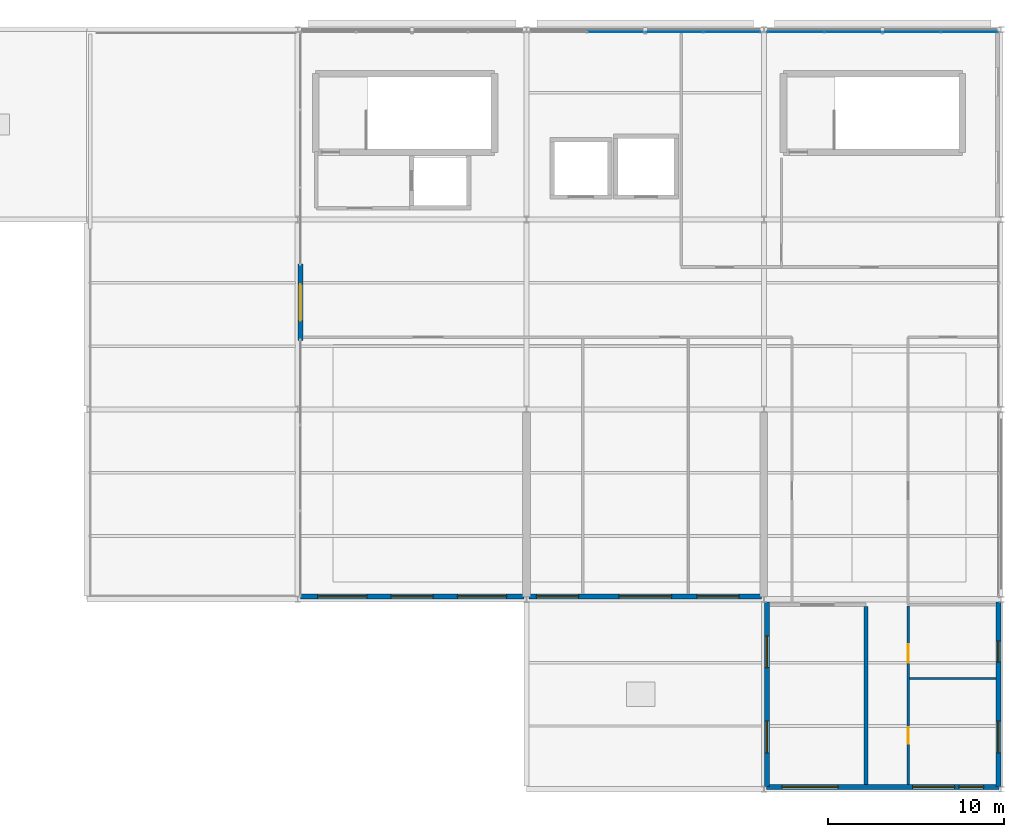
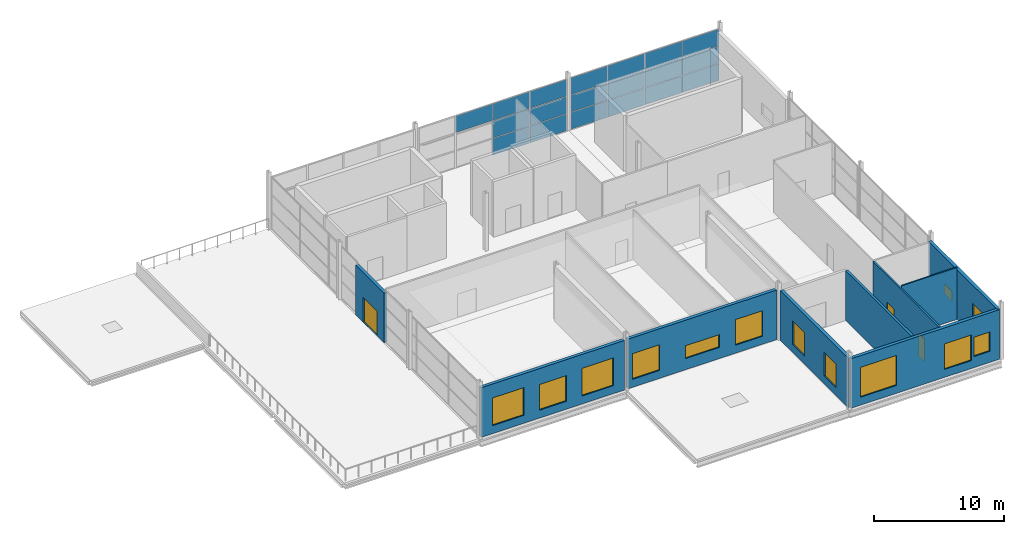
# One storey, part 31 of 34: 19 plates, 13 windows, 9 walls, 3 doors, 16 openings, 2 elements without a shape of their own.
"""IFC4 building model written with IfcOpenShell, lengths in metres."""

from ifc_helpers import new_model, si_unit, direction, frame, frame_2d, origin, origin_2d, place, context, subcontext, project, spatial, rectangle, extrude, material, layer, layer_set, type_object, element, fill, aggregate, save


model = new_model("IFC4")

# Units and contexts
model_context = context("Model", 3, precision=1e-05, world=origin(), true_north=direction((0.0, 1.0)))
body_context = subcontext(model_context, "Body", "Model", "MODEL_VIEW")
ifc_project = project(units=[si_unit("LENGTHUNIT", "METRE"), si_unit("AREAUNIT", "SQUARE_METRE"), si_unit("VOLUMEUNIT", "CUBIC_METRE"), si_unit("PLANEANGLEUNIT", "RADIAN"), si_unit("MASSUNIT", "GRAM", prefix="KILO")], contexts=[model_context])

# Site, building, storey
site_placement = place(None, origin())
site = spatial("IfcSite", under=ifc_project, at=site_placement, CompositionType="ELEMENT")
building_placement = place(site_placement, origin())
building = spatial("IfcBuilding", under=site, at=building_placement, Name="Tamarisk Ironworks Central Station", CompositionType="ELEMENT")
storey_placement = place(building_placement, frame((0.0, 0.0, 25.199951171875)))
storey = spatial("IfcBuildingStorey", under=building, at=storey_placement, Name="L05", CompositionType="ELEMENT", Elevation=25.199951171875)

# Curtain wall, plates
ifc_material_1 = material(Name="Anodized aluminium alloy 6063-T6", Category="aluminium")
ifc_layer_1 = layer(ifc_material_1, 0.179931640625)
ifc_layer_set_1 = layer_set([ifc_layer_1], Name="Anodized aluminium alloy 6063-T6")
curtain_wall_type = type_object("IfcCurtainWallType", Name="CW-20", PredefinedType="USERDEFINED", material=ifc_layer_set_1)
curtain_wall_1_placement = place(storey_placement, origin())
curtain_wall_1 = element("IfcCurtainWall", 1, at=curtain_wall_1_placement, inside=storey, type_object=curtain_wall_type, Name="Operations L05 north facade curtain wall 153", ObjectType="GLAZED CURTAIN WALL", PredefinedType="USERDEFINED")
ifc_layer_2 = layer(ifc_material_1, 0.02392578125)
ifc_layer_set_2 = layer_set([ifc_layer_2], Name="Anodized aluminium alloy 6063-T6")
plate_type = type_object("IfcPlateType", Name="PL-CWP24", PredefinedType="CURTAIN_PANEL", material=ifc_layer_set_2)
plate_1_placement = place(storey_placement, frame((158.099609375, 122.25, 3.303955078125), z_axis=(0.0, 0.0, 1.0), x_axis=(1.0, 0.0, 0.0)))
plate_1 = element("IfcPlate", 2, at=plate_1_placement, type_object=plate_type, Name="CW20 panel 2.3", PredefinedType="CURTAIN_PANEL", context=body_context, shape_type="SweptSolid", body=[
    extrude(rectangle(XDim=3.2529296875, YDim=0.02392578125, at=origin_2d()), origin(), (0.0, 0.0, 1.0), 1.56201171875),
])
plate_2_placement = place(storey_placement, frame((161.400390625, 122.25, 0.053955078125), z_axis=(0.0, 0.0, 1.0), x_axis=(1.0, 0.0, 0.0)))
plate_2 = element("IfcPlate", 3, at=plate_2_placement, type_object=plate_type, Name="CW20 panel 3.1", PredefinedType="CURTAIN_PANEL", context=body_context, shape_type="SweptSolid", body=[
    extrude(rectangle(XDim=3.2529296875, YDim=0.02392578125, at=origin_2d()), origin(), (0.0, 0.0, 1.0), 1.56201171875),
])
plate_3_placement = place(storey_placement, frame((161.400390625, 122.25, 1.6640625), z_axis=(0.0, 0.0, 1.0), x_axis=(1.0, 0.0, 0.0)))
plate_3 = element("IfcPlate", 4, at=plate_3_placement, type_object=plate_type, Name="CW20 panel 3.2", PredefinedType="CURTAIN_PANEL", context=body_context, shape_type="SweptSolid", body=[
    extrude(rectangle(XDim=3.2529296875, YDim=0.02392578125, at=origin_2d()), origin(), (0.0, 0.0, 1.0), 1.592041015625),
])
plate_4_placement = place(storey_placement, frame((161.400390625, 122.25, 3.303955078125), z_axis=(0.0, 0.0, 1.0), x_axis=(1.0, 0.0, 0.0)))
plate_4 = element("IfcPlate", 5, at=plate_4_placement, type_object=plate_type, Name="CW20 panel 3.3", PredefinedType="CURTAIN_PANEL", context=body_context, shape_type="SweptSolid", body=[
    extrude(rectangle(XDim=3.2529296875, YDim=0.02392578125, at=origin_2d()), origin(), (0.0, 0.0, 1.0), 1.56201171875),
])
plate_5_placement = place(storey_placement, frame((164.6865234375, 122.25, 0.053955078125), z_axis=(0.0, 0.0, 1.0), x_axis=(1.0, 0.0, 0.0)))
plate_5 = element("IfcPlate", 6, at=plate_5_placement, type_object=plate_type, Name="CW20 panel 4.1", PredefinedType="CURTAIN_PANEL", context=body_context, shape_type="SweptSolid", body=[
    extrude(rectangle(XDim=3.222900390625, YDim=0.02392578125, at=origin_2d()), origin(), (0.0, 0.0, 1.0), 1.56201171875),
])
plate_6_placement = place(storey_placement, frame((164.6865234375, 122.25, 1.6640625), z_axis=(0.0, 0.0, 1.0), x_axis=(1.0, 0.0, 0.0)))
plate_6 = element("IfcPlate", 7, at=plate_6_placement, type_object=plate_type, Name="CW20 panel 4.2", PredefinedType="CURTAIN_PANEL", context=body_context, shape_type="SweptSolid", body=[
    extrude(rectangle(XDim=3.222900390625, YDim=0.02392578125, at=origin_2d()), origin(), (0.0, 0.0, 1.0), 1.592041015625),
])
plate_7_placement = place(storey_placement, frame((164.6865234375, 122.25, 3.303955078125), z_axis=(0.0, 0.0, 1.0), x_axis=(1.0, 0.0, 0.0)))
plate_7 = element("IfcPlate", 8, at=plate_7_placement, type_object=plate_type, Name="CW20 panel 4.3", PredefinedType="CURTAIN_PANEL", context=body_context, shape_type="SweptSolid", body=[
    extrude(rectangle(XDim=3.222900390625, YDim=0.02392578125, at=origin_2d()), origin(), (0.0, 0.0, 1.0), 1.56201171875),
])
aggregate(curtain_wall_1, [plate_1, plate_2, plate_3, plate_4, plate_5, plate_6, plate_7])

curtain_wall_2_placement = place(storey_placement, origin())
curtain_wall_2 = element("IfcCurtainWall", 9, at=curtain_wall_2_placement, inside=storey, type_object=curtain_wall_type, Name="Operations L05 north facade curtain wall 166", ObjectType="GLAZED CURTAIN WALL", PredefinedType="USERDEFINED")
plate_8_placement = place(storey_placement, frame((168.3134765625, 122.25, 0.053955078125), z_axis=(0.0, 0.0, 1.0), x_axis=(1.0, 0.0, 0.0)))
plate_8 = element("IfcPlate", 10, at=plate_8_placement, type_object=plate_type, Name="CW20 panel 1.1", PredefinedType="CURTAIN_PANEL", context=body_context, shape_type="SweptSolid", body=[
    extrude(rectangle(XDim=3.222900390625, YDim=0.02392578125, at=origin_2d()), origin(), (0.0, 0.0, 1.0), 1.56201171875),
])
plate_9_placement = place(storey_placement, frame((168.3134765625, 122.25, 1.6640625), z_axis=(0.0, 0.0, 1.0), x_axis=(1.0, 0.0, 0.0)))
plate_9 = element("IfcPlate", 11, at=plate_9_placement, type_object=plate_type, Name="CW20 panel 1.2", PredefinedType="CURTAIN_PANEL", context=body_context, shape_type="SweptSolid", body=[
    extrude(rectangle(XDim=3.222900390625, YDim=0.02392578125, at=origin_2d()), origin(), (0.0, 0.0, 1.0), 1.592041015625),
])
plate_10_placement = place(storey_placement, frame((168.3134765625, 122.25, 3.303955078125), z_axis=(0.0, 0.0, 1.0), x_axis=(1.0, 0.0, 0.0)))
plate_10 = element("IfcPlate", 12, at=plate_10_placement, type_object=plate_type, Name="CW20 panel 1.3", PredefinedType="CURTAIN_PANEL", context=body_context, shape_type="SweptSolid", body=[
    extrude(rectangle(XDim=3.222900390625, YDim=0.02392578125, at=origin_2d()), origin(), (0.0, 0.0, 1.0), 1.56201171875),
])
plate_11_placement = place(storey_placement, frame((171.599609375, 122.25, 0.053955078125), z_axis=(0.0, 0.0, 1.0), x_axis=(1.0, 0.0, 0.0)))
plate_11 = element("IfcPlate", 13, at=plate_11_placement, type_object=plate_type, Name="CW20 panel 2.1", PredefinedType="CURTAIN_PANEL", context=body_context, shape_type="SweptSolid", body=[
    extrude(rectangle(XDim=3.2529296875, YDim=0.02392578125, at=origin_2d()), origin(), (0.0, 0.0, 1.0), 1.56201171875),
])
plate_12_placement = place(storey_placement, frame((171.599609375, 122.25, 1.6640625), z_axis=(0.0, 0.0, 1.0), x_axis=(1.0, 0.0, 0.0)))
plate_12 = element("IfcPlate", 14, at=plate_12_placement, type_object=plate_type, Name="CW20 panel 2.2", PredefinedType="CURTAIN_PANEL", context=body_context, shape_type="SweptSolid", body=[
    extrude(rectangle(XDim=3.2529296875, YDim=0.02392578125, at=origin_2d()), origin(), (0.0, 0.0, 1.0), 1.592041015625),
])
plate_13_placement = place(storey_placement, frame((171.599609375, 122.25, 3.303955078125), z_axis=(0.0, 0.0, 1.0), x_axis=(1.0, 0.0, 0.0)))
plate_13 = element("IfcPlate", 15, at=plate_13_placement, type_object=plate_type, Name="CW20 panel 2.3", PredefinedType="CURTAIN_PANEL", context=body_context, shape_type="SweptSolid", body=[
    extrude(rectangle(XDim=3.2529296875, YDim=0.02392578125, at=origin_2d()), origin(), (0.0, 0.0, 1.0), 1.56201171875),
])
plate_14_placement = place(storey_placement, frame((174.900390625, 122.25, 0.053955078125), z_axis=(0.0, 0.0, 1.0), x_axis=(1.0, 0.0, 0.0)))
plate_14 = element("IfcPlate", 16, at=plate_14_placement, type_object=plate_type, Name="CW20 panel 3.1", PredefinedType="CURTAIN_PANEL", context=body_context, shape_type="SweptSolid", body=[
    extrude(rectangle(XDim=3.2529296875, YDim=0.02392578125, at=origin_2d()), origin(), (0.0, 0.0, 1.0), 1.56201171875),
])
plate_15_placement = place(storey_placement, frame((174.900390625, 122.25, 1.6640625), z_axis=(0.0, 0.0, 1.0), x_axis=(1.0, 0.0, 0.0)))
plate_15 = element("IfcPlate", 17, at=plate_15_placement, type_object=plate_type, Name="CW20 panel 3.2", PredefinedType="CURTAIN_PANEL", context=body_context, shape_type="SweptSolid", body=[
    extrude(rectangle(XDim=3.2529296875, YDim=0.02392578125, at=origin_2d()), origin(), (0.0, 0.0, 1.0), 1.592041015625),
])
plate_16_placement = place(storey_placement, frame((174.900390625, 122.25, 3.303955078125), z_axis=(0.0, 0.0, 1.0), x_axis=(1.0, 0.0, 0.0)))
plate_16 = element("IfcPlate", 18, at=plate_16_placement, type_object=plate_type, Name="CW20 panel 3.3", PredefinedType="CURTAIN_PANEL", context=body_context, shape_type="SweptSolid", body=[
    extrude(rectangle(XDim=3.2529296875, YDim=0.02392578125, at=origin_2d()), origin(), (0.0, 0.0, 1.0), 1.56201171875),
])
plate_17_placement = place(storey_placement, frame((178.1865234375, 122.25, 0.053955078125), z_axis=(0.0, 0.0, 1.0), x_axis=(1.0, 0.0, 0.0)))
plate_17 = element("IfcPlate", 19, at=plate_17_placement, type_object=plate_type, Name="CW20 panel 4.1", PredefinedType="CURTAIN_PANEL", context=body_context, shape_type="SweptSolid", body=[
    extrude(rectangle(XDim=3.222900390625, YDim=0.02392578125, at=origin_2d()), origin(), (0.0, 0.0, 1.0), 1.56201171875),
])
plate_18_placement = place(storey_placement, frame((178.1865234375, 122.25, 1.6640625), z_axis=(0.0, 0.0, 1.0), x_axis=(1.0, 0.0, 0.0)))
plate_18 = element("IfcPlate", 20, at=plate_18_placement, type_object=plate_type, Name="CW20 panel 4.2", PredefinedType="CURTAIN_PANEL", context=body_context, shape_type="SweptSolid", body=[
    extrude(rectangle(XDim=3.222900390625, YDim=0.02392578125, at=origin_2d()), origin(), (0.0, 0.0, 1.0), 1.592041015625),
])
plate_19_placement = place(storey_placement, frame((178.1865234375, 122.25, 3.303955078125), z_axis=(0.0, 0.0, 1.0), x_axis=(1.0, 0.0, 0.0)))
plate_19 = element("IfcPlate", 21, at=plate_19_placement, type_object=plate_type, Name="CW20 panel 4.3", PredefinedType="CURTAIN_PANEL", context=body_context, shape_type="SweptSolid", body=[
    extrude(rectangle(XDim=3.222900390625, YDim=0.02392578125, at=origin_2d()), origin(), (0.0, 0.0, 1.0), 1.56201171875),
])
aggregate(curtain_wall_2, [plate_8, plate_9, plate_10, plate_11, plate_12, plate_13, plate_14, plate_15, plate_16, plate_17, plate_18, plate_19])

# Wall, openings, windows
ifc_material_2 = material(Name="Clay facing brickwork and mortar", Category="masonry")
ifc_layer_3 = layer(ifc_material_2, 0.280029296875)
ifc_layer_set_3 = layer_set([ifc_layer_3], Name="Clay facing brickwork and mortar")
wall_type_1 = type_object("IfcWallType", Name="WL-BR280", PredefinedType="STANDARD", material=ifc_layer_set_3)
wall_1_placement = place(storey_placement, frame((179.830078125, 79.347900390625, 0.0), z_axis=(0.0, 0.0, 1.0), x_axis=(0.0, 1.0, 0.0)))
wall_1 = element("IfcWall", 22, at=wall_1_placement, inside=storey, type_object=wall_type_1, Name="L05 brick facade wall 0098", PredefinedType="STANDARD", context=body_context, shape_type="SweptSolid", body=[
    extrude(rectangle(XDim=10.504150390625, YDim=0.280029296875, at=frame_2d((5.251953125, 0.0))), origin(), (0.0, 0.0, 1.0), 4.650146484375),
])
opening_1_placement = place(wall_1_placement, frame((1.926025390625, 0.0, 0.75)))
opening_1 = element("IfcOpeningElement", 23, at=opening_1_placement, cuts=wall_1, Name="Opening W09", PredefinedType="OPENING", context=body_context, shape_type="SweptSolid", body=[
    extrude(rectangle(XDim=1.800048828125, YDim=2.199951171875, at=frame_2d((0.89990234375, 1.10009765625))), frame((0.0, 0.15185546875, 0.0), z_axis=(0.0, -1.0, 0.0), x_axis=(1.0, 0.0, 0.0)), (0.0, 0.0, 1.0), 0.303955078125),
])
opening_2_placement = place(wall_1_placement, frame((7.077880859375, 0.0, 1.050048828125)))
opening_2 = element("IfcOpeningElement", 24, at=opening_2_placement, cuts=wall_1, Name="Opening W19", PredefinedType="OPENING", context=body_context, shape_type="SweptSolid", body=[
    extrude(rectangle(XDim=1.199951171875, YDim=0.89990234375, at=frame_2d((0.60009765625, 0.449951171875))), frame((0.0, 0.15185546875, 0.0), z_axis=(0.0, -1.0, 0.0), x_axis=(1.0, 0.0, 0.0)), (0.0, 0.0, 1.0), 0.303955078125),
])
ifc_material_3 = material(Name="Laminated solar-control low-E glass", Category="glass")
window_type_1 = type_object("IfcWindowType", Name="WN-09", PartitioningType="SINGLE_PANEL", PredefinedType="WINDOW", material=ifc_material_3)
window_1_placement = place(opening_1_placement, origin())
window_1 = element("IfcWindow", 25, at=window_1_placement, inside=storey, type_object=window_type_1, Name="L05 exterior window 0167", OverallHeight=2.199951171875, OverallWidth=1.800048828125, PartitioningType="DOUBLE_PANEL_VERTICAL", PredefinedType="WINDOW", context=body_context, shape_type="SweptSolid", body=[
    extrude(rectangle(XDim=1.800048828125, YDim=2.199951171875, at=frame_2d((0.89990234375, 1.10009765625))), frame((0.0, 0.030029296875, 0.0), z_axis=(0.0, -1.0, 0.0), x_axis=(1.0, 0.0, 0.0)), (0.0, 0.0, 1.0), 0.06005859375),
])
fill(opening_1, window_1)
window_type_2 = type_object("IfcWindowType", Name="WN-19", PartitioningType="SINGLE_PANEL", PredefinedType="WINDOW", material=ifc_material_3)
window_2_placement = place(opening_2_placement, origin())
window_2 = element("IfcWindow", 26, at=window_2_placement, inside=storey, type_object=window_type_2, Name="L05 exterior window 0168", OverallHeight=0.89990234375, OverallWidth=1.199951171875, PartitioningType="DOUBLE_PANEL_VERTICAL", PredefinedType="WINDOW", context=body_context, shape_type="SweptSolid", body=[
    extrude(rectangle(XDim=1.199951171875, YDim=0.89990234375, at=frame_2d((0.60009765625, 0.449951171875))), frame((0.0, 0.030029296875, 0.0), z_axis=(0.0, -1.0, 0.0), x_axis=(1.0, 0.0, 0.0)), (0.0, 0.0, 1.0), 0.06005859375),
])
fill(opening_2, window_2)

wall_2_placement = place(storey_placement, frame((166.64794921875, 79.340087890625, 0.0), z_axis=(0.0, 0.0, 1.0), x_axis=(1.0, 0.0, 0.0)))
wall_2 = element("IfcWall", 27, at=wall_2_placement, inside=storey, type_object=wall_type_1, Name="L05 brick facade wall 0099", PredefinedType="STANDARD", context=body_context, shape_type="SweptSolid", body=[
    extrude(rectangle(XDim=13.2041015625, YDim=0.280029296875, at=frame_2d((6.60205078125, 0.0))), origin(), (0.0, 0.0, 1.0), 4.650146484375),
])
opening_3_placement = place(wall_2_placement, frame((0.866943359375, 0.0, 0.75)))
opening_3 = element("IfcOpeningElement", 28, at=opening_3_placement, cuts=wall_2, Name="Opening W02", PredefinedType="OPENING", context=body_context, shape_type="SweptSolid", body=[
    extrude(rectangle(XDim=3.199951171875, YDim=2.800048828125, at=frame_2d((1.60009765625, 1.39990234375))), frame((0.0, 0.15185546875, 0.0), z_axis=(0.0, -1.0, 0.0), x_axis=(1.0, 0.0, 0.0)), (0.0, 0.0, 1.0), 0.303955078125),
])
opening_4_placement = place(wall_2_placement, frame((8.302001953125, 0.0, 0.75)))
opening_4 = element("IfcOpeningElement", 29, at=opening_4_placement, cuts=wall_2, Name="Opening W06", PredefinedType="OPENING", context=body_context, shape_type="SweptSolid", body=[
    extrude(rectangle(XDim=2.39990234375, YDim=2.39990234375, at=frame_2d((1.199951171875, 1.199951171875))), frame((0.0, 0.15185546875, 0.0), z_axis=(0.0, -1.0, 0.0), x_axis=(1.0, 0.0, 0.0)), (0.0, 0.0, 1.0), 0.303955078125),
])
opening_5_placement = place(wall_2_placement, frame((10.93701171875, 0.0, 1.050048828125)))
opening_5 = element("IfcOpeningElement", 30, at=opening_5_placement, cuts=wall_2, Name="Opening W12", PredefinedType="OPENING", context=body_context, shape_type="SweptSolid", body=[
    extrude(rectangle(XDim=1.39990234375, YDim=1.800048828125, at=frame_2d((0.699951171875, 0.89990234375))), frame((0.0, 0.15185546875, 0.0), z_axis=(0.0, -1.0, 0.0), x_axis=(1.0, 0.0, 0.0)), (0.0, 0.0, 1.0), 0.303955078125),
])
window_type_3 = type_object("IfcWindowType", Name="WN-02", PartitioningType="SINGLE_PANEL", PredefinedType="WINDOW", material=ifc_material_3)
window_3_placement = place(opening_3_placement, origin())
window_3 = element("IfcWindow", 31, at=window_3_placement, inside=storey, type_object=window_type_3, Name="L05 exterior window 0169", OverallHeight=2.800048828125, OverallWidth=3.199951171875, PartitioningType="DOUBLE_PANEL_VERTICAL", PredefinedType="WINDOW", context=body_context, shape_type="SweptSolid", body=[
    extrude(rectangle(XDim=3.199951171875, YDim=2.800048828125, at=frame_2d((1.60009765625, 1.39990234375))), frame((0.0, 0.030029296875, 0.0), z_axis=(0.0, -1.0, 0.0), x_axis=(1.0, 0.0, 0.0)), (0.0, 0.0, 1.0), 0.06005859375),
])
fill(opening_3, window_3)
window_type_4 = type_object("IfcWindowType", Name="WN-06", PartitioningType="SINGLE_PANEL", PredefinedType="WINDOW", material=ifc_material_3)
window_4_placement = place(opening_4_placement, origin())
window_4 = element("IfcWindow", 32, at=window_4_placement, inside=storey, type_object=window_type_4, Name="L05 exterior window 0170", OverallHeight=2.39990234375, OverallWidth=2.39990234375, PartitioningType="DOUBLE_PANEL_VERTICAL", PredefinedType="WINDOW", context=body_context, shape_type="SweptSolid", body=[
    extrude(rectangle(XDim=2.39990234375, YDim=2.39990234375, at=frame_2d((1.199951171875, 1.199951171875))), frame((0.0, 0.030029296875, 0.0), z_axis=(0.0, -1.0, 0.0), x_axis=(1.0, 0.0, 0.0)), (0.0, 0.0, 1.0), 0.06005859375),
])
fill(opening_4, window_4)
window_type_5 = type_object("IfcWindowType", Name="WN-12", PartitioningType="SINGLE_PANEL", PredefinedType="WINDOW", material=ifc_material_3)
window_5_placement = place(opening_5_placement, origin())
window_5 = element("IfcWindow", 33, at=window_5_placement, inside=storey, type_object=window_type_5, Name="L05 exterior window 0171", OverallHeight=1.800048828125, OverallWidth=1.39990234375, PartitioningType="DOUBLE_PANEL_VERTICAL", PredefinedType="WINDOW", context=body_context, shape_type="SweptSolid", body=[
    extrude(rectangle(XDim=1.39990234375, YDim=1.800048828125, at=frame_2d((0.699951171875, 0.89990234375))), frame((0.0, 0.030029296875, 0.0), z_axis=(0.0, -1.0, 0.0), x_axis=(1.0, 0.0, 0.0)), (0.0, 0.0, 1.0), 0.06005859375),
])
fill(opening_5, window_5)

wall_3_placement = place(storey_placement, frame((140.14794921875, 90.169921875, 0.0), z_axis=(0.0, 0.0, 1.0), x_axis=(1.0, 0.0, 0.0)))
wall_3 = element("IfcWall", 34, at=wall_3_placement, inside=storey, type_object=wall_type_1, Name="L05 brick facade wall 0100", PredefinedType="STANDARD", context=body_context, shape_type="SweptSolid", body=[
    extrude(rectangle(XDim=12.7041015625, YDim=0.280029296875, at=frame_2d((6.35205078125, 0.0))), origin(), (0.0, 0.0, 1.0), 4.650146484375),
])
opening_6_placement = place(wall_3_placement, frame((0.98388671875, 0.0, 0.75)))
opening_6 = element("IfcOpeningElement", 35, at=opening_6_placement, cuts=wall_3, Name="Opening W04", PredefinedType="OPENING", context=body_context, shape_type="SweptSolid", body=[
    extrude(rectangle(XDim=2.800048828125, YDim=2.60009765625, at=frame_2d((1.39990234375, 1.300048828125))), frame((0.0, 0.15185546875, 0.0), z_axis=(0.0, -1.0, 0.0), x_axis=(1.0, 0.0, 0.0)), (0.0, 0.0, 1.0), 0.303955078125),
])
opening_7_placement = place(wall_3_placement, frame((5.152099609375, 0.0, 0.75)))
opening_7 = element("IfcOpeningElement", 36, at=opening_7_placement, cuts=wall_3, Name="Opening W06", PredefinedType="OPENING", context=body_context, shape_type="SweptSolid", body=[
    extrude(rectangle(XDim=2.39990234375, YDim=2.39990234375, at=frame_2d((1.199951171875, 1.199951171875))), frame((0.0, 0.15185546875, 0.0), z_axis=(0.0, -1.0, 0.0), x_axis=(1.0, 0.0, 0.0)), (0.0, 0.0, 1.0), 0.303955078125),
])
opening_8_placement = place(wall_3_placement, frame((8.919921875, 0.0, 0.75)))
opening_8 = element("IfcOpeningElement", 37, at=opening_8_placement, cuts=wall_3, Name="Opening W04", PredefinedType="OPENING", context=body_context, shape_type="SweptSolid", body=[
    extrude(rectangle(XDim=2.800048828125, YDim=2.60009765625, at=frame_2d((1.39990234375, 1.300048828125))), frame((0.0, 0.15185546875, 0.0), z_axis=(0.0, -1.0, 0.0), x_axis=(1.0, 0.0, 0.0)), (0.0, 0.0, 1.0), 0.303955078125),
])
window_type_6 = type_object("IfcWindowType", Name="WN-04", PartitioningType="SINGLE_PANEL", PredefinedType="WINDOW", material=ifc_material_3)
window_6_placement = place(opening_6_placement, origin())
window_6 = element("IfcWindow", 38, at=window_6_placement, inside=storey, type_object=window_type_6, Name="L05 exterior window 0172", OverallHeight=2.60009765625, OverallWidth=2.800048828125, PartitioningType="DOUBLE_PANEL_VERTICAL", PredefinedType="WINDOW", context=body_context, shape_type="SweptSolid", body=[
    extrude(rectangle(XDim=2.800048828125, YDim=2.60009765625, at=frame_2d((1.39990234375, 1.300048828125))), frame((0.0, 0.030029296875, 0.0), z_axis=(0.0, -1.0, 0.0), x_axis=(1.0, 0.0, 0.0)), (0.0, 0.0, 1.0), 0.06005859375),
])
fill(opening_6, window_6)
window_7_placement = place(opening_8_placement, origin())
window_7 = element("IfcWindow", 39, at=window_7_placement, inside=storey, type_object=window_type_6, Name="L05 exterior window 0174", OverallHeight=2.60009765625, OverallWidth=2.800048828125, PartitioningType="DOUBLE_PANEL_VERTICAL", PredefinedType="WINDOW", context=body_context, shape_type="SweptSolid", body=[
    extrude(rectangle(XDim=2.800048828125, YDim=2.60009765625, at=frame_2d((1.39990234375, 1.300048828125))), frame((0.0, 0.030029296875, 0.0), z_axis=(0.0, -1.0, 0.0), x_axis=(1.0, 0.0, 0.0)), (0.0, 0.0, 1.0), 0.06005859375),
])
fill(opening_8, window_7)
window_8_placement = place(opening_7_placement, origin())
window_8 = element("IfcWindow", 40, at=window_8_placement, inside=storey, type_object=window_type_4, Name="L05 exterior window 0173", OverallHeight=2.39990234375, OverallWidth=2.39990234375, PartitioningType="DOUBLE_PANEL_VERTICAL", PredefinedType="WINDOW", context=body_context, shape_type="SweptSolid", body=[
    extrude(rectangle(XDim=2.39990234375, YDim=2.39990234375, at=frame_2d((1.199951171875, 1.199951171875))), frame((0.0, 0.030029296875, 0.0), z_axis=(0.0, -1.0, 0.0), x_axis=(1.0, 0.0, 0.0)), (0.0, 0.0, 1.0), 0.06005859375),
])
fill(opening_7, window_8)

wall_4_placement = place(storey_placement, frame((153.14794921875, 90.169921875, 0.0), z_axis=(0.0, 0.0, 1.0), x_axis=(1.0, 0.0, 0.0)))
wall_4 = element("IfcWall", 41, at=wall_4_placement, inside=storey, type_object=wall_type_1, Name="L05 brick facade wall 0101", PredefinedType="STANDARD", context=body_context, shape_type="SweptSolid", body=[
    extrude(rectangle(XDim=13.2041015625, YDim=0.280029296875, at=frame_2d((6.60205078125, 0.0))), origin(), (0.0, 0.0, 1.0), 4.650146484375),
])
opening_9_placement = place(wall_4_placement, frame((0.4169921875, 0.0, 0.75)))
opening_9 = element("IfcOpeningElement", 42, at=opening_9_placement, cuts=wall_4, Name="Opening W06", PredefinedType="OPENING", context=body_context, shape_type="SweptSolid", body=[
    extrude(rectangle(XDim=2.39990234375, YDim=2.39990234375, at=frame_2d((1.199951171875, 1.199951171875))), frame((0.0, 0.15185546875, 0.0), z_axis=(0.0, -1.0, 0.0), x_axis=(1.0, 0.0, 0.0)), (0.0, 0.0, 1.0), 0.303955078125),
])
opening_10_placement = place(wall_4_placement, frame((5.10205078125, 0.0, 1.050048828125)))
opening_10 = element("IfcOpeningElement", 43, at=opening_10_placement, cuts=wall_4, Name="Opening W16", PredefinedType="OPENING", context=body_context, shape_type="SweptSolid", body=[
    extrude(rectangle(XDim=3.0, YDim=1.199951171875, at=frame_2d((1.5, 0.60009765625))), frame((0.0, 0.15185546875, 0.0), z_axis=(0.0, -1.0, 0.0), x_axis=(1.0, 0.0, 0.0)), (0.0, 0.0, 1.0), 0.303955078125),
])
opening_11_placement = place(wall_4_placement, frame((9.537109375, 0.0, 0.75)))
opening_11 = element("IfcOpeningElement", 44, at=opening_11_placement, cuts=wall_4, Name="Opening W06", PredefinedType="OPENING", context=body_context, shape_type="SweptSolid", body=[
    extrude(rectangle(XDim=2.39990234375, YDim=2.39990234375, at=frame_2d((1.199951171875, 1.199951171875))), frame((0.0, 0.15185546875, 0.0), z_axis=(0.0, -1.0, 0.0), x_axis=(1.0, 0.0, 0.0)), (0.0, 0.0, 1.0), 0.303955078125),
])
window_9_placement = place(opening_9_placement, origin())
window_9 = element("IfcWindow", 45, at=window_9_placement, inside=storey, type_object=window_type_4, Name="L05 exterior window 0175", OverallHeight=2.39990234375, OverallWidth=2.39990234375, PartitioningType="DOUBLE_PANEL_VERTICAL", PredefinedType="WINDOW", context=body_context, shape_type="SweptSolid", body=[
    extrude(rectangle(XDim=2.39990234375, YDim=2.39990234375, at=frame_2d((1.199951171875, 1.199951171875))), frame((0.0, 0.030029296875, 0.0), z_axis=(0.0, -1.0, 0.0), x_axis=(1.0, 0.0, 0.0)), (0.0, 0.0, 1.0), 0.06005859375),
])
fill(opening_9, window_9)
window_10_placement = place(opening_11_placement, origin())
window_10 = element("IfcWindow", 46, at=window_10_placement, inside=storey, type_object=window_type_4, Name="L05 exterior window 0177", OverallHeight=2.39990234375, OverallWidth=2.39990234375, PartitioningType="DOUBLE_PANEL_VERTICAL", PredefinedType="WINDOW", context=body_context, shape_type="SweptSolid", body=[
    extrude(rectangle(XDim=2.39990234375, YDim=2.39990234375, at=frame_2d((1.199951171875, 1.199951171875))), frame((0.0, 0.030029296875, 0.0), z_axis=(0.0, -1.0, 0.0), x_axis=(1.0, 0.0, 0.0)), (0.0, 0.0, 1.0), 0.06005859375),
])
fill(opening_11, window_10)
window_type_7 = type_object("IfcWindowType", Name="WN-16", PartitioningType="SINGLE_PANEL", PredefinedType="WINDOW", material=ifc_material_3)
window_11_placement = place(opening_10_placement, origin())
window_11 = element("IfcWindow", 47, at=window_11_placement, inside=storey, type_object=window_type_7, Name="L05 exterior window 0176", OverallHeight=1.199951171875, OverallWidth=3.0, PartitioningType="DOUBLE_PANEL_VERTICAL", PredefinedType="WINDOW", context=body_context, shape_type="SweptSolid", body=[
    extrude(rectangle(XDim=3.0, YDim=1.199951171875, at=frame_2d((1.5, 0.60009765625))), frame((0.0, 0.030029296875, 0.0), z_axis=(0.0, -1.0, 0.0), x_axis=(1.0, 0.0, 0.0)), (0.0, 0.0, 1.0), 0.06005859375),
])
fill(opening_10, window_11)

wall_5_placement = place(storey_placement, frame((166.669921875, 79.35791015625, 0.0), z_axis=(0.0, 0.0, 1.0), x_axis=(0.0, 1.0, 0.0)))
wall_5 = element("IfcWall", 48, at=wall_5_placement, inside=storey, type_object=wall_type_1, Name="L05 brick facade wall 0102", PredefinedType="STANDARD", context=body_context, shape_type="SweptSolid", body=[
    extrude(rectangle(XDim=10.484130859375, YDim=0.280029296875, at=frame_2d((5.2421875, 0.0))), origin(), (0.0, 0.0, 1.0), 4.650146484375),
])
opening_12_placement = place(wall_5_placement, frame((1.9208984375, 0.0, 0.75)))
opening_12 = element("IfcOpeningElement", 49, at=opening_12_placement, cuts=wall_5, Name="Opening W09", PredefinedType="OPENING", context=body_context, shape_type="SweptSolid", body=[
    extrude(rectangle(XDim=1.800048828125, YDim=2.199951171875, at=frame_2d((0.89990234375, 1.10009765625))), frame((0.0, 0.15185546875, 0.0), z_axis=(0.0, -1.0, 0.0), x_axis=(1.0, 0.0, 0.0)), (0.0, 0.0, 1.0), 0.303955078125),
])
opening_13_placement = place(wall_5_placement, frame((6.762939453125, 0.0, 0.75)))
opening_13 = element("IfcOpeningElement", 50, at=opening_13_placement, cuts=wall_5, Name="Opening W09", PredefinedType="OPENING", context=body_context, shape_type="SweptSolid", body=[
    extrude(rectangle(XDim=1.800048828125, YDim=2.199951171875, at=frame_2d((0.89990234375, 1.10009765625))), frame((0.0, 0.15185546875, 0.0), z_axis=(0.0, -1.0, 0.0), x_axis=(1.0, 0.0, 0.0)), (0.0, 0.0, 1.0), 0.303955078125),
])
window_12_placement = place(opening_12_placement, origin())
window_12 = element("IfcWindow", 51, at=window_12_placement, inside=storey, type_object=window_type_1, Name="L05 exterior window 0178", OverallHeight=2.199951171875, OverallWidth=1.800048828125, PartitioningType="DOUBLE_PANEL_VERTICAL", PredefinedType="WINDOW", context=body_context, shape_type="SweptSolid", body=[
    extrude(rectangle(XDim=1.800048828125, YDim=2.199951171875, at=frame_2d((0.89990234375, 1.10009765625))), frame((0.0, 0.030029296875, 0.0), z_axis=(0.0, -1.0, 0.0), x_axis=(1.0, 0.0, 0.0)), (0.0, 0.0, 1.0), 0.06005859375),
])
fill(opening_12, window_12)
window_13_placement = place(opening_13_placement, origin())
window_13 = element("IfcWindow", 52, at=window_13_placement, inside=storey, type_object=window_type_1, Name="L05 exterior window 0179", OverallHeight=2.199951171875, OverallWidth=1.800048828125, PartitioningType="DOUBLE_PANEL_VERTICAL", PredefinedType="WINDOW", context=body_context, shape_type="SweptSolid", body=[
    extrude(rectangle(XDim=1.800048828125, YDim=2.199951171875, at=frame_2d((0.89990234375, 1.10009765625))), frame((0.0, 0.030029296875, 0.0), z_axis=(0.0, -1.0, 0.0), x_axis=(1.0, 0.0, 0.0)), (0.0, 0.0, 1.0), 0.06005859375),
])
fill(opening_13, window_13)

# Wall, opening, door
wall_6_placement = place(storey_placement, frame((140.14990234375, 104.72998046875, 0.0), z_axis=(0.0, 0.0, 1.0), x_axis=(0.0, 1.0, 0.0)))
wall_6 = element("IfcWall", 53, at=wall_6_placement, inside=storey, type_object=wall_type_1, Name="L05 brick facade wall 0104", PredefinedType="STANDARD", context=body_context, shape_type="SweptSolid", body=[
    extrude(rectangle(XDim=4.340087890625, YDim=0.280029296875, at=frame_2d((2.169921875, 0.0))), origin(), (0.0, 0.0, 1.0), 4.650146484375),
])
opening_14_placement = place(wall_6_placement, frame((1.10009765625, 0.0, 0.0048828125)))
opening_14 = element("IfcOpeningElement", 54, at=opening_14_placement, cuts=wall_6, Name="Opening TD01", PredefinedType="OPENING", context=body_context, shape_type="SweptSolid", body=[
    extrude(rectangle(XDim=2.10009765625, YDim=2.300048828125, at=frame_2d((1.050048828125, 1.14990234375))), frame((0.0, 0.15185546875, 0.0), z_axis=(0.0, -1.0, 0.0), x_axis=(1.0, 0.0, 0.0)), (0.0, 0.0, 1.0), 0.303955078125),
])
door_type_1 = type_object("IfcDoorType", Name="DR-TD01", OperationType="NOTDEFINED", PredefinedType="DOOR", material=ifc_material_1)
door_1_placement = place(opening_14_placement, origin())
door_1 = element("IfcDoor", 55, at=door_1_placement, inside=storey, type_object=door_type_1, Name="L05 exterior entrance door 0016", OperationType="SINGLE_SWING_LEFT", OverallHeight=2.300048828125, OverallWidth=2.10009765625, PredefinedType="DOOR", context=body_context, shape_type="SweptSolid", body=[
    extrude(rectangle(XDim=2.10009765625, YDim=2.300048828125, at=frame_2d((1.050048828125, 1.14990234375))), frame((0.0, 0.02490234375, 0.0), z_axis=(0.0, -1.0, 0.0), x_axis=(1.0, 0.0, 0.0)), (0.0, 0.0, 1.0), 0.050048828125),
])
fill(opening_14, door_1)

# Walls
ifc_material_4 = material(Name="Concrete C40/50", Category="concrete")
ifc_layer_4 = layer(ifc_material_4, 0.2099609375)
ifc_layer_set_4 = layer_set([ifc_layer_4], Name="Concrete C40/50")
wall_type_2 = type_object("IfcWallType", Name="WL-PL200", PredefinedType="PARTITIONING", material=ifc_layer_set_4)
wall_7_placement = place(storey_placement, frame((172.300048828125, 79.47802734375, 0.0), z_axis=(0.0, 0.0, 1.0), x_axis=(0.0, 1.0, 0.0)))
element("IfcWall", 56, at=wall_7_placement, inside=storey, type_object=wall_type_2, Name="L05 interior partition 0134", PredefinedType="PARTITIONING", context=body_context, shape_type="SweptSolid", body=[
    extrude(rectangle(XDim=10.118896484375, YDim=0.2099609375, at=frame_2d((5.0595703125, 0.0))), origin(), (0.0, 0.0, 1.0), 4.679931640625),
])
ifc_material_5 = material(Name="Gypsum plasterboard acoustic partition")
ifc_layer_5 = layer(ifc_material_5, 0.1201171875)
ifc_layer_set_5 = layer_set([ifc_layer_5], Name="Gypsum plasterboard acoustic partition")
wall_type_3 = type_object("IfcWallType", Name="WL-PT120", PredefinedType="PARTITIONING", material=ifc_layer_set_5)
wall_8_placement = place(storey_placement, frame((174.77294921875, 85.5, 0.0), z_axis=(0.0, 0.0, 1.0), x_axis=(1.0, 0.0, 0.0)))
element("IfcWall", 57, at=wall_8_placement, inside=storey, type_object=wall_type_3, Name="L05 interior partition 0137", PredefinedType="PARTITIONING", context=body_context, shape_type="SweptSolid", body=[
    extrude(rectangle(XDim=4.9189453125, YDim=0.1201171875, at=frame_2d((2.45947265625, 0.0))), origin(), (0.0, 0.0, 1.0), 4.8701171875),
])

# Wall, openings, doors
ifc_layer_6 = layer(ifc_material_5, 0.14990234375)
ifc_layer_set_6 = layer_set([ifc_layer_6], Name="Gypsum plasterboard acoustic partition")
wall_type_4 = type_object("IfcWallType", Name="WL-PT150", PredefinedType="PARTITIONING", material=ifc_layer_set_6)
wall_9_placement = place(storey_placement, frame((174.699951171875, 79.47802734375, 0.0), z_axis=(0.0, 0.0, 1.0), x_axis=(0.0, 1.0, 0.0)))
wall_9 = element("IfcWall", 58, at=wall_9_placement, inside=storey, type_object=wall_type_4, Name="L05 interior partition 0136", PredefinedType="PARTITIONING", context=body_context, shape_type="SweptSolid", body=[
    extrude(rectangle(XDim=10.14892578125, YDim=0.14990234375, at=frame_2d((5.074462890625, 0.0))), origin(), (0.0, 0.0, 1.0), 4.679931640625),
])
opening_15_placement = place(wall_9_placement, frame((2.322021484375, 0.0, 0.0048828125)))
opening_15 = element("IfcOpeningElement", 59, at=opening_15_placement, cuts=wall_9, Name="Opening WC01", PredefinedType="OPENING", context=body_context, shape_type="SweptSolid", body=[
    extrude(rectangle(XDim=0.919921875, YDim=2.1201171875, at=frame_2d((0.4599609375, 1.06005859375))), frame((0.0, 0.0869140625, 0.0), z_axis=(0.0, -1.0, 0.0), x_axis=(1.0, 0.0, 0.0)), (0.0, 0.0, 1.0), 0.173828125),
])
opening_16_placement = place(wall_9_placement, frame((6.922119140625, 0.0, 0.0048828125)))
opening_16 = element("IfcOpeningElement", 60, at=opening_16_placement, cuts=wall_9, Name="Opening WC02", PredefinedType="OPENING", context=body_context, shape_type="SweptSolid", body=[
    extrude(rectangle(XDim=1.050048828125, YDim=2.14990234375, at=frame_2d((0.52490234375, 1.074951171875))), frame((0.0, 0.0869140625, 0.0), z_axis=(0.0, -1.0, 0.0), x_axis=(1.0, 0.0, 0.0)), (0.0, 0.0, 1.0), 0.173828125),
])
ifc_material_6 = material(Name="FSC certified tropical hardwood timber", Category="wood")
door_type_2 = type_object("IfcDoorType", Name="DR-WC01", OperationType="NOTDEFINED", PredefinedType="DOOR", material=ifc_material_6)
door_2_placement = place(opening_15_placement, origin())
door_2 = element("IfcDoor", 61, at=door_2_placement, inside=storey, type_object=door_type_2, Name="L05 room door 0102", OperationType="SINGLE_SWING_LEFT", OverallHeight=2.1201171875, OverallWidth=0.919921875, PredefinedType="DOOR", context=body_context, shape_type="SweptSolid", body=[
    extrude(rectangle(XDim=0.919921875, YDim=2.1201171875, at=frame_2d((0.4599609375, 1.06005859375))), frame((0.0, 0.02490234375, 0.0), z_axis=(0.0, -1.0, 0.0), x_axis=(1.0, 0.0, 0.0)), (0.0, 0.0, 1.0), 0.050048828125),
])
fill(opening_15, door_2)
door_type_3 = type_object("IfcDoorType", Name="DR-WC02", OperationType="NOTDEFINED", PredefinedType="DOOR", material=ifc_material_6)
door_3_placement = place(opening_16_placement, origin())
door_3 = element("IfcDoor", 62, at=door_3_placement, inside=storey, type_object=door_type_3, Name="L05 room door 0103", OperationType="SINGLE_SWING_RIGHT", OverallHeight=2.14990234375, OverallWidth=1.050048828125, PredefinedType="DOOR", context=body_context, shape_type="SweptSolid", body=[
    extrude(rectangle(XDim=1.050048828125, YDim=2.14990234375, at=frame_2d((0.52490234375, 1.074951171875))), frame((0.0, 0.02490234375, 0.0), z_axis=(0.0, -1.0, 0.0), x_axis=(1.0, 0.0, 0.0)), (0.0, 0.0, 1.0), 0.050048828125),
])
fill(opening_16, door_3)

save(model, "model.ifc")
